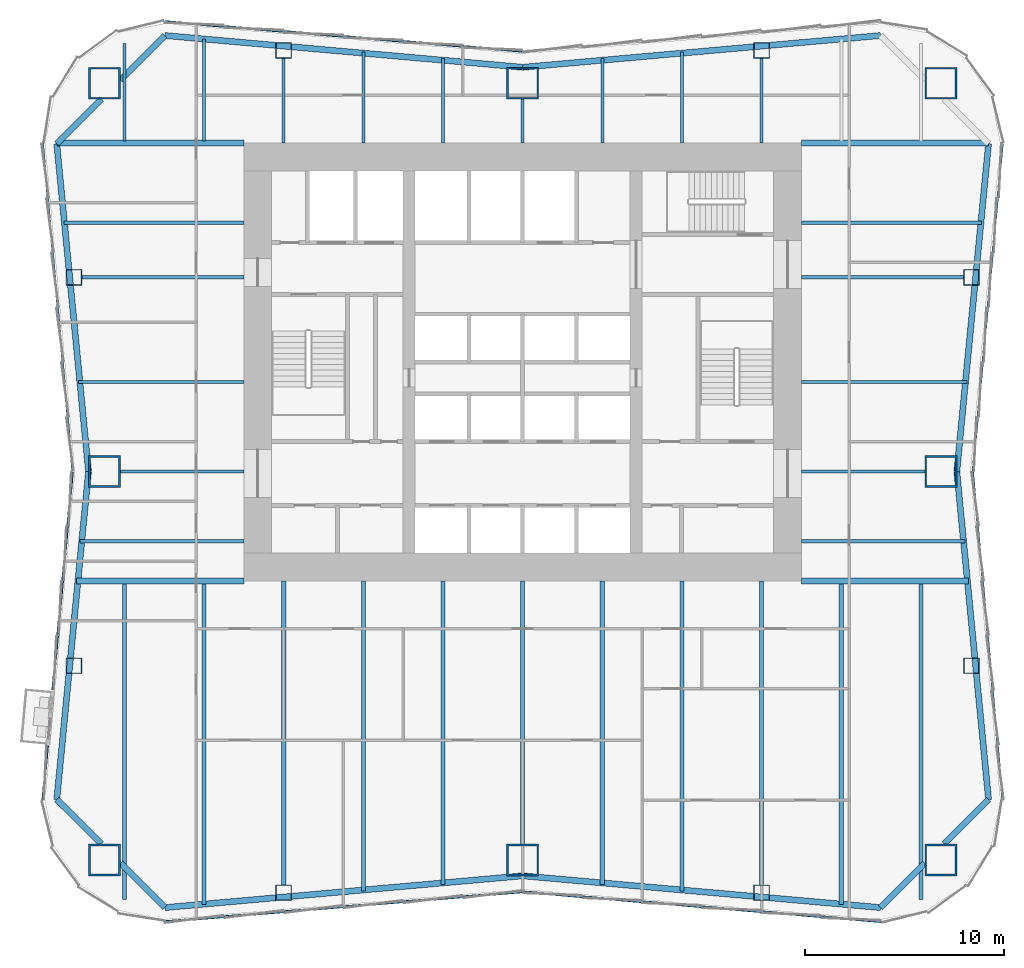
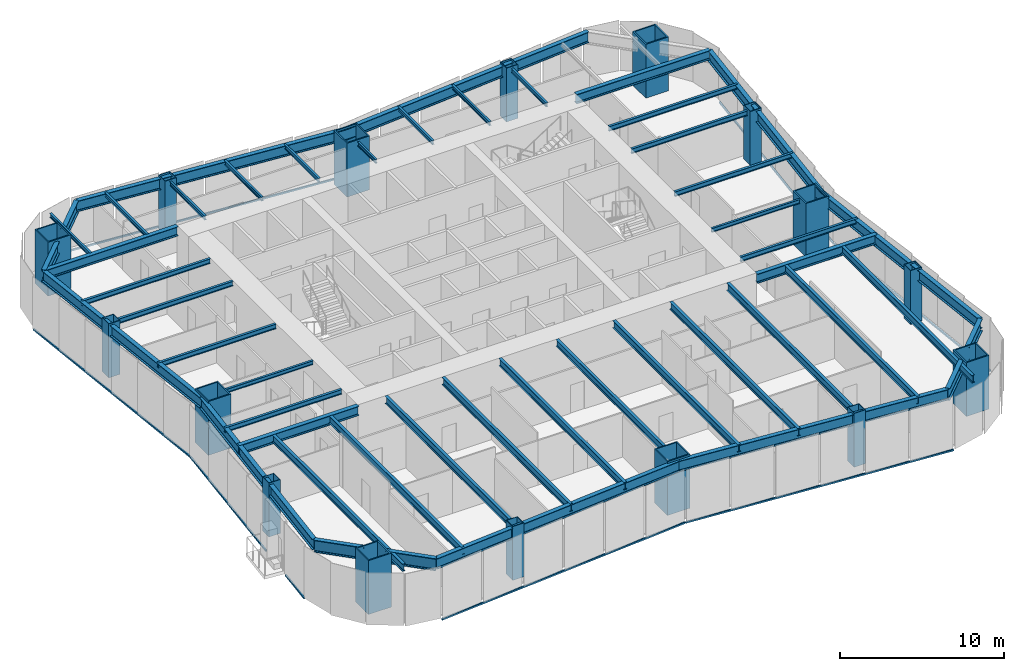
# One storey, part 1 of 8: 48 beams, 16 columns, 8 members, 4 elements without a shape of their own.
"""IFC4 building model written with IfcOpenShell, lengths in metres."""

import ifcopenshell
import ifcopenshell.guid

model = None  # the IFC model being written
_history = None  # IfcOwnerHistory: only IFC2X3 demands one
_inside = {}  # id of a spatial element -> (the spatial element, [elements in it])
_under = {}  # id of a project, library or spatial element -> (it, [spatial elements below it])
_declared = {}  # id of a project -> (the project, [libraries it declares])
_typed = {}  # id of a type object -> (the type object, [elements of that type])
_made_of = {}  # id of a material, layer set ... -> (it, [elements and type objects made of it])


def new_model(schema):
    """Start an empty IFC model of exactly this schema.

    Asked for "IFC4X3", IfcOpenShell would pick the latest addendum, in which some entities
    have other attributes; the version numbers below select the first issue.
    IFC2X3 requires an IfcOwnerHistory on every rooted entity: one is made here for all.
    """
    global model, _history
    if schema == "IFC4X3":
        model = ifcopenshell.file(schema_version=(4, 3, 0, 0))
    else:
        model = ifcopenshell.file(schema=schema)
    _inside.clear()
    _under.clear()
    _declared.clear()
    _typed.clear()
    _made_of.clear()
    _history = None
    if model.schema == "IFC2X3":
        org = make("IfcOrganization", Name="unknown")
        user = make(
            "IfcPersonAndOrganization",
            ThePerson=make("IfcPerson", FamilyName="unknown"),
            TheOrganization=org,
        )
        app = make(
            "IfcApplication",
            ApplicationDeveloper=org,
            Version="unknown",
            ApplicationFullName="unknown",
            ApplicationIdentifier="unknown",
        )
        _history = make(
            "IfcOwnerHistory",
            OwningUser=user,
            OwningApplication=app,
            ChangeAction="ADDED",
            CreationDate=0,
        )
    return model


def make(cls, **values):
    """One entity of the class cls with the attributes given. An attribute that is None is left unset."""
    return model.create_entity(
        cls, **{name: value for name, value in values.items() if value is not None}
    )


def rooted(cls, **values):
    """An entity with a GlobalId (a new one), such as an element, a storey or a relation."""
    return make(cls, GlobalId=ifcopenshell.guid.new(), OwnerHistory=_history, **values)


def si_unit(unit_type, name, prefix=None):
    """IfcSIUnit, for example si_unit("LENGTHUNIT", "METRE", prefix="MILLI")."""
    return make("IfcSIUnit", UnitType=unit_type, Prefix=prefix, Name=name)


def assignment(units):
    """IfcUnitAssignment: the units of a project."""
    return None if units is None else make("IfcUnitAssignment", Units=units)


def point(xyz):
    """IfcCartesianPoint."""
    return None if xyz is None else make("IfcCartesianPoint", Coordinates=xyz)


def direction(xyz):
    """IfcDirection."""
    return None if xyz is None else make("IfcDirection", DirectionRatios=xyz)


def frame(location, z_axis=None, x_axis=None):
    """IfcAxis2Placement3D, a coordinate frame: its origin and axes. An axis left out is left unset."""
    return make(
        "IfcAxis2Placement3D",
        Location=point(location),
        Axis=direction(z_axis),
        RefDirection=direction(x_axis),
    )


def frame_2d(location, x_axis=None):
    """IfcAxis2Placement2D, a coordinate frame in the plane: its origin and x axis."""
    return make(
        "IfcAxis2Placement2D", Location=point(location), RefDirection=direction(x_axis)
    )


def origin():
    """The frame at (0, 0, 0) with its axes left unset."""
    return frame((0.0, 0.0, 0.0))


def origin_2d():
    """The frame at (0, 0) in the plane with its x axis left unset."""
    return frame_2d((0.0, 0.0))


def place(relative_to, where):
    """IfcLocalPlacement: puts the frame where relative to a parent placement (None: the world)."""
    return make(
        "IfcLocalPlacement", PlacementRelTo=relative_to, RelativePlacement=where
    )


def context(
    kind, dimensions, precision=None, world=None, true_north=None, identifier=None
):
    """IfcGeometricRepresentationContext, for example the 3D "Model" context."""
    return make(
        "IfcGeometricRepresentationContext",
        ContextIdentifier=identifier,
        ContextType=kind,
        CoordinateSpaceDimension=dimensions,
        Precision=precision,
        WorldCoordinateSystem=world,
        TrueNorth=true_north,
    )


def subcontext(parent, identifier, kind, view, scale=None):
    """IfcGeometricRepresentationSubContext, for example "Body" below "Model"."""
    return make(
        "IfcGeometricRepresentationSubContext",
        ContextIdentifier=identifier,
        ContextType=kind,
        ParentContext=parent,
        TargetScale=scale,
        TargetView=view,
    )


def project(units=None, contexts=None):
    """IfcProject with its units and contexts."""
    return rooted(
        "IfcProject",
        Name="project",
        RepresentationContexts=contexts,
        UnitsInContext=assignment(units),
    )


def spatial(cls, under=None, at=None, **own):
    """A site, building, storey or space (cls), placed at a placement, below another one or the project."""
    s = rooted(cls, ObjectPlacement=at, **own)
    if under is not None:
        _under.setdefault(under.id(), (under, []))[1].append(s)
    return s


def profile(cls, at=None, kind="AREA", **sizes):
    """A parametric profile (cls). Its sizes go by their IFC names, for example OverallWidth=200.0."""
    return make(cls, ProfileType=kind, Position=at, **sizes)


def rectangle(**sizes):
    """IfcRectangleProfileDef."""
    return profile("IfcRectangleProfileDef", **sizes)


def hollow_rectangle(**sizes):
    """IfcRectangleHollowProfileDef."""
    return profile("IfcRectangleHollowProfileDef", **sizes)


def i_section(**sizes):
    """IfcIShapeProfileDef."""
    return profile("IfcIShapeProfileDef", **sizes)


def extrude(swept, where, along, depth):
    """IfcExtrudedAreaSolid: the profile swept, set in the frame where, extruded along a direction by depth."""
    return make(
        "IfcExtrudedAreaSolid",
        SweptArea=swept,
        Position=where,
        ExtrudedDirection=direction(along),
        Depth=depth,
    )


def shape(context_of_items, identifier, shape_type, items):
    """IfcShapeRepresentation: the items that make up one representation, for example the "Body"."""
    return make(
        "IfcShapeRepresentation",
        ContextOfItems=context_of_items,
        RepresentationIdentifier=identifier,
        RepresentationType=shape_type,
        Items=items,
    )


def material(Name=None, Category=None):
    """IfcMaterial."""
    return make("IfcMaterial", Name=Name, Category=Category)


def material_profile(
    of_material, cross_section, Name=None, Category=None, Priority=None
):
    """IfcMaterialProfile: a cross section and its material."""
    return make(
        "IfcMaterialProfile",
        Name=Name,
        Material=of_material,
        Profile=cross_section,
        Priority=Priority,
        Category=Category,
    )


def profile_set(profiles, Name=None, composite=None):
    """IfcMaterialProfileSet."""
    return make(
        "IfcMaterialProfileSet",
        Name=Name,
        MaterialProfiles=profiles,
        CompositeProfile=composite,
    )


def made_of(thing, what):
    """Note that an element or type object is made of a material, layer set ...; save() writes the relation."""
    if what is not None:
        _made_of.setdefault(what.id(), (what, []))[1].append(thing)
    return thing


def type_object(cls, material=None, **own):
    """A type object (cls), such as IfcWallType, which elements share."""
    return made_of(rooted(cls, **own), material)


def element(
    cls,
    number,
    at=None,
    inside=None,
    cuts=None,
    type_object=None,
    material=None,
    context=None,
    identifier="Body",
    shape_type=None,
    held_by="IfcProductDefinitionShape",
    body=None,
    shapes=None,
    **own,
):
    """One element of the class cls, such as IfcWall. Its Tag is "e" and its number.

    at: its placement. inside: the storey or other place that contains it. cuts: it is an
    opening in that element (IfcRelVoidsElement). A single representation is given by context,
    identifier, shape_type and body (its items); several are given by shapes. held_by: the class
    of the entity that holds the representations. save() writes the other relations.
    """
    e = rooted(cls, Tag="e%d" % number, ObjectPlacement=at, **own)
    if body is not None:
        shapes = [shape(context, identifier, shape_type, body)]
    if shapes is not None:
        e.Representation = make(held_by, Representations=shapes)
    if inside is not None:
        _inside.setdefault(inside.id(), (inside, []))[1].append(e)
    if cuts is not None:
        rooted(
            "IfcRelVoidsElement", RelatingBuildingElement=cuts, RelatedOpeningElement=e
        )
    if type_object is not None:
        _typed.setdefault(type_object.id(), (type_object, []))[1].append(e)
    return made_of(e, material)


def aggregate(whole, parts):
    """IfcRelAggregates: a whole, such as a stair, and the parts it consists of."""
    return rooted("IfcRelAggregates", RelatingObject=whole, RelatedObjects=parts)


def save(model, path):
    """Write the relations noted so far, then the file.

    IfcRelAggregates (storeys below a building ...), IfcRelContainedInSpatialStructure (elements
    in a storey), IfcRelDefinesByType, IfcRelAssociatesMaterial and IfcRelDeclares: one each for
    every whole, place, type object, material and project.
    """
    for whole, parts in _under.values():
        aggregate(whole, parts)
    for where, things in _inside.values():
        rooted(
            "IfcRelContainedInSpatialStructure",
            RelatedElements=things,
            RelatingStructure=where,
        )
    for kind, things in _typed.values():
        rooted("IfcRelDefinesByType", RelatedObjects=things, RelatingType=kind)
    for what, things in _made_of.values():
        rooted("IfcRelAssociatesMaterial", RelatedObjects=things, RelatingMaterial=what)
    for by, libraries in _declared.values():
        rooted("IfcRelDeclares", RelatingContext=by, RelatedDefinitions=libraries)
    model.write(path)


model = new_model("IFC4")

# Units and contexts
model_context = context("Model", 3, precision=1e-05, world=origin(), true_north=direction((0.0, 1.0)))
body_context = subcontext(model_context, "Body", "Model", "MODEL_VIEW")
ifc_project = project(units=[si_unit("LENGTHUNIT", "METRE"), si_unit("AREAUNIT", "SQUARE_METRE"), si_unit("VOLUMEUNIT", "CUBIC_METRE"), si_unit("PLANEANGLEUNIT", "RADIAN"), si_unit("MASSUNIT", "GRAM", prefix="KILO")], contexts=[model_context])

# Site, building, storey
site_placement = place(None, origin())
site = spatial("IfcSite", under=ifc_project, at=site_placement, CompositionType="ELEMENT")
building_placement = place(site_placement, origin())
building = spatial("IfcBuilding", under=site, at=building_placement, Name="Verdant Reach Tower", CompositionType="ELEMENT")
storey_placement = place(building_placement, frame((0.0, 0.0, 22.0)))
storey = spatial("IfcBuildingStorey", under=building, at=storey_placement, Name="L04", CompositionType="ELEMENT", Elevation=22.0)

# Columns
ifc_material_1 = material(Name="Steel S460", Category="steel")
ifc_material_profile_1 = material_profile(ifc_material_1, hollow_rectangle(XDim=1.60009765625, YDim=1.60009765625, WallThickness=0.090087890625, at=origin_2d()), Name="WB 1600x1600x90")
ifc_profile_set_1 = profile_set([ifc_material_profile_1], Name="Steel S460")
column_type_1 = type_object("IfcColumnType", Name="ST-COL-WB1600x1600x90", PredefinedType="COLUMN", material=ifc_profile_set_1)
for number, where, z_axis, x_axis, name in (
    (1, (-21.0, 42.0, 0.0), (0.0, 0.0, 1.0), (1.0, 0.0, 0.0), "Mega column north-west, L04"),
    (2, (0.0, 42.0, 0.0), (0.0, 0.0, 1.0), (1.0, 0.0, 0.0), "Mega column north, L04"),
    (3, (21.0, 42.0, 0.0), (0.0, 0.0, 1.0), (1.0, 0.0, 0.0), "Mega column north-east, L04"),
    (4, (21.0, 22.5, 0.0), (0.0, 0.0, 1.0), (1.0, 0.0, 0.0), "Mega column east, L04"),
    (5, (21.0, 3.0, 0.0), (0.0, 0.0, 1.0), (1.0, 0.0, 0.0), "Mega column south-east, L04"),
    (6, (0.0, 3.0, 0.0), (0.0, 0.0, 1.0), (1.0, 0.0, 0.0), "Mega column south, L04"),
    (7, (-21.0, 3.0, 0.0), (0.0, 0.0, 1.0), (1.0, 0.0, 0.0), "Mega column south-west, L04"),
    (8, (-21.0, 22.5, 0.0), (0.0, 0.0, 1.0), (1.0, 0.0, 0.0), "Mega column west, L04"),
):
    element("IfcColumn", number, at=place(storey_placement, frame(where, z_axis=z_axis, x_axis=x_axis)), inside=storey, type_object=column_type_1, Name=name, PredefinedType="COLUMN", context=body_context, shape_type="SweptSolid", body=[
        extrude(hollow_rectangle(XDim=1.60009765625, YDim=1.60009765625, WallThickness=0.090087890625, at=origin_2d()), origin(), (0.0, 0.0, 1.0), 4.0),
    ])
ifc_material_profile_2 = material_profile(ifc_material_1, hollow_rectangle(XDim=0.800048828125, YDim=0.800048828125, WallThickness=0.0400390625, at=origin_2d()), Name="WB 800x800x40")
ifc_profile_set_2 = profile_set([ifc_material_profile_2], Name="Steel S460")
column_type_2 = type_object("IfcColumnType", Name="ST-COL-WB800x800x40", PredefinedType="COLUMN", material=ifc_profile_set_2)
for number, where, z_axis, x_axis, name in (
    (9, (-12.0, 43.64990234375, 0.0), (0.0, 0.0, 1.0), (1.0, 0.0, 0.0), "Perimeter column north 1, L04"),
    (10, (12.0, 43.64990234375, 0.0), (0.0, 0.0, 1.0), (1.0, 0.0, 0.0), "Perimeter column north 2, L04"),
    (11, (-12.0, 1.35009765625, 0.0), (0.0, 0.0, 1.0), (1.0, 0.0, 0.0), "Perimeter column south 1, L04"),
    (12, (12.0, 1.35009765625, 0.0), (0.0, 0.0, 1.0), (1.0, 0.0, 0.0), "Perimeter column south 2, L04"),
    (13, (22.536376953125, 12.75, 0.0), (0.0, 0.0, 1.0), (1.0, 0.0, 0.0), "Perimeter column east 1, L04"),
    (14, (22.536376953125, 32.25, 0.0), (0.0, 0.0, 1.0), (1.0, 0.0, 0.0), "Perimeter column east 2, L04"),
    (15, (-22.536376953125, 12.75, 0.0), (0.0, 0.0, 1.0), (1.0, 0.0, 0.0), "Perimeter column west 1, L04"),
    (16, (-22.536376953125, 32.25, 0.0), (0.0, 0.0, 1.0), (1.0, 0.0, 0.0), "Perimeter column west 2, L04"),
):
    element("IfcColumn", number, at=place(storey_placement, frame(where, z_axis=z_axis, x_axis=x_axis)), inside=storey, type_object=column_type_2, Name=name, PredefinedType="COLUMN", context=body_context, shape_type="SweptSolid", body=[
        extrude(hollow_rectangle(XDim=0.800048828125, YDim=0.800048828125, WallThickness=0.0400390625, at=origin_2d()), origin(), (0.0, 0.0, 1.0), 4.0),
    ])

# Curtain wall, members
ifc_material_2 = material(Name="Anodised aluminium", Category="aluminium")
curtain_wall_type = type_object("IfcCurtainWallType", Name="EN-CW SYSTEM Z0", PredefinedType="NOTDEFINED", material=ifc_material_2)
curtain_wall_1_placement = place(storey_placement, origin())
curtain_wall_1 = element("IfcCurtainWall", 17, at=curtain_wall_1_placement, inside=storey, type_object=curtain_wall_type, Name="Curtain wall east, L04", PredefinedType="NOTDEFINED")
ifc_material_profile_3 = material_profile(ifc_material_2, rectangle(XDim=0.10009765625, YDim=0.1201171875, at=origin_2d()), Name="Transom 120x100")
ifc_profile_set_3 = profile_set([ifc_material_profile_3], Name="Anodised aluminium")
member_type = type_object("IfcMemberType", Name="EN-TRANSOM Z0", PredefinedType="USERDEFINED", material=ifc_profile_set_3)
member_1_placement = place(storey_placement, frame((24.09716796875, 6.024658203125, -0.2900390625), z_axis=(-0.090495755184, 0.995896841191, 0.0), x_axis=(-0.995896841191, -0.090495755184, 0.0)))
member_1 = element("IfcMember", 18, at=member_1_placement, type_object=member_type, Name="Transom east face part 1 1.1, L04", ObjectType="TRANSOM", PredefinedType="USERDEFINED", context=body_context, shape_type="SweptSolid", body=[
    extrude(rectangle(XDim=0.10009765625, YDim=0.1201171875, at=origin_2d()), origin(), (0.0, 0.0, 1.0), 16.513427734375),
])
member_2_placement = place(storey_placement, frame((22.602783203125, 22.52978515625, -0.2900390625), z_axis=(0.090495755184, 0.995896841191, 0.0), x_axis=(-0.995896841191, 0.090495755184, 0.0)))
member_2 = element("IfcMember", 19, at=member_2_placement, type_object=member_type, Name="Transom east face part 2 1.1, L04", ObjectType="TRANSOM", PredefinedType="USERDEFINED", context=body_context, shape_type="SweptSolid", body=[
    extrude(rectangle(XDim=0.10009765625, YDim=0.1201171875, at=origin_2d()), origin(), (0.0, 0.0, 1.0), 16.513427734375),
])
aggregate(curtain_wall_1, [member_1, member_2])

# Curtain wall, member
curtain_wall_2_placement = place(storey_placement, origin())
curtain_wall_2 = element("IfcCurtainWall", 20, at=curtain_wall_2_placement, inside=storey, type_object=curtain_wall_type, Name="Curtain wall north, L04", PredefinedType="NOTDEFINED")
member_3_placement = place(storey_placement, frame((-0.02978515625, 43.6025390625, -0.2900390625), z_axis=(-0.996548656072, 0.083010698588, 0.0), x_axis=(-0.083010698588, -0.996548656072, 0.0)))
member_3 = element("IfcMember", 21, at=member_3_placement, type_object=member_type, Name="Transom north face part 2 1.1, L04", ObjectType="TRANSOM", PredefinedType="USERDEFINED", context=body_context, shape_type="SweptSolid", body=[
    extrude(rectangle(XDim=0.10009765625, YDim=0.1201171875, at=origin_2d()), origin(), (0.0, 0.0, 1.0), 18.00830078125),
])
aggregate(curtain_wall_2, [member_3])

# Curtain wall, members
curtain_wall_3_placement = place(storey_placement, origin())
curtain_wall_3 = element("IfcCurtainWall", 22, at=curtain_wall_3_placement, inside=storey, type_object=curtain_wall_type, Name="Curtain wall west, L04", PredefinedType="NOTDEFINED")
member_4_placement = place(storey_placement, frame((-24.09716796875, 38.975341796875, -0.2900390625), z_axis=(0.090495755184, -0.995896841191, 0.0), x_axis=(0.995896841191, 0.090495755184, 0.0)))
member_4 = element("IfcMember", 23, at=member_4_placement, type_object=member_type, Name="Transom west face part 1 1.1, L04", ObjectType="TRANSOM", PredefinedType="USERDEFINED", context=body_context, shape_type="SweptSolid", body=[
    extrude(rectangle(XDim=0.10009765625, YDim=0.1201171875, at=origin_2d()), origin(), (0.0, 0.0, 1.0), 16.513427734375),
])
member_5_placement = place(storey_placement, frame((-22.602783203125, 22.47021484375, -0.2900390625), z_axis=(-0.090569838391, -0.995890106575, 0.0), x_axis=(0.995890106575, -0.090569838391, 0.0)))
member_5 = element("IfcMember", 24, at=member_5_placement, type_object=member_type, Name="Transom west face part 2 1.1, L04", ObjectType="TRANSOM", PredefinedType="USERDEFINED", context=body_context, shape_type="SweptSolid", body=[
    extrude(rectangle(XDim=0.10009765625, YDim=0.1201171875, at=origin_2d()), origin(), (0.0, 0.0, 1.0), 10.9765625),
])
member_6_placement = place(storey_placement, frame((-23.852294921875, 8.729248046875, -0.2900390625), z_axis=(-0.090170976609, -0.995926299973, 0.0), x_axis=(0.995926299973, -0.090170976609, 0.0)))
member_6 = element("IfcMember", 25, at=member_6_placement, type_object=member_type, Name="Transom west face part 2 2.1, L04", ObjectType="TRANSOM", PredefinedType="USERDEFINED", context=body_context, shape_type="SweptSolid", body=[
    extrude(rectangle(XDim=0.10009765625, YDim=0.1201171875, at=origin_2d()), origin(), (0.0, 0.0, 1.0), 2.715576171875),
])
aggregate(curtain_wall_3, [member_4, member_5, member_6])

curtain_wall_4_placement = place(storey_placement, origin())
curtain_wall_4 = element("IfcCurtainWall", 26, at=curtain_wall_4_placement, inside=storey, type_object=curtain_wall_type, Name="Curtain wall south, L04", PredefinedType="NOTDEFINED")
member_7_placement = place(storey_placement, frame((-17.975830078125, -0.097412109375, -0.2900390625), z_axis=(0.996548656072, 0.083010698588, 0.0), x_axis=(-0.083010698588, 0.996548656072, 0.0)))
member_7 = element("IfcMember", 27, at=member_7_placement, type_object=member_type, Name="Transom south face part 1 1.1, L04", ObjectType="TRANSOM", PredefinedType="USERDEFINED", context=body_context, shape_type="SweptSolid", body=[
    extrude(rectangle(XDim=0.10009765625, YDim=0.1201171875, at=origin_2d()), origin(), (0.0, 0.0, 1.0), 18.00830078125),
])
member_8_placement = place(storey_placement, frame((0.02978515625, 1.3974609375, -0.2900390625), z_axis=(0.996548656072, -0.083010698588, 0.0), x_axis=(0.083010698588, 0.996548656072, 0.0)))
member_8 = element("IfcMember", 28, at=member_8_placement, type_object=member_type, Name="Transom south face part 2 1.1, L04", ObjectType="TRANSOM", PredefinedType="USERDEFINED", context=body_context, shape_type="SweptSolid", body=[
    extrude(rectangle(XDim=0.10009765625, YDim=0.1201171875, at=origin_2d()), origin(), (0.0, 0.0, 1.0), 18.00830078125),
])
aggregate(curtain_wall_4, [member_7, member_8])

# Beams
ifc_material_3 = material(Name="Steel S355", Category="steel")
ifc_material_profile_4 = material_profile(ifc_material_3, i_section(OverallWidth=0.300048828125, OverallDepth=0.699951171875, WebThickness=0.01708984375, FlangeThickness=0.031982421875, FilletRadius=0.027099609375, at=origin_2d()), Name="HEB 700")
ifc_profile_set_4 = profile_set([ifc_material_profile_4], Name="Steel S355")
beam_type_1 = type_object("IfcBeamType", Name="ST-BEAM-HEB700", PredefinedType="BEAM", material=ifc_profile_set_4)
for number, where, z_axis, x_axis, name in (
    (29, (14.0, 39.0, 3.52001953125), (1.0, 0.0, 0.0), (0.0, 1.0, 0.0), "Trimmer beam, L04"),
    (30, (-14.0, 39.0, 3.52001953125), (-1.0, 0.0, 0.0), (0.0, -1.0, 0.0), "Trimmer beam, L04"),
):
    element("IfcBeam", number, at=place(storey_placement, frame(where, z_axis=z_axis, x_axis=x_axis)), inside=storey, type_object=beam_type_1, Name=name, PredefinedType="BEAM", context=body_context, shape_type="SweptSolid", body=[
        extrude(i_section(OverallWidth=0.300048828125, OverallDepth=0.699951171875, WebThickness=0.01708984375, FlangeThickness=0.031982421875, FilletRadius=0.027099609375, at=origin_2d()), origin(), (0.0, 0.0, 1.0), 9.38818359375),
    ])
for number, where, z_axis, x_axis, name in (
    (31, (14.0, 17.0, 3.52001953125), (1.0, 0.0, 0.0), (0.0, 1.0, 0.0), "Trimmer beam, L04"),
    (32, (-14.0, 17.0, 3.52001953125), (-1.0, 0.0, 0.0), (0.0, -1.0, 0.0), "Trimmer beam, L04"),
):
    element("IfcBeam", number, at=place(storey_placement, frame(where, z_axis=z_axis, x_axis=x_axis)), inside=storey, type_object=beam_type_1, Name=name, PredefinedType="BEAM", context=body_context, shape_type="SweptSolid", body=[
        extrude(i_section(OverallWidth=0.300048828125, OverallDepth=0.699951171875, WebThickness=0.01708984375, FlangeThickness=0.031982421875, FilletRadius=0.027099609375, at=origin_2d()), origin(), (0.0, 0.0, 1.0), 8.3974609375),
    ])
ifc_material_profile_5 = material_profile(ifc_material_3, i_section(OverallWidth=0.14990234375, OverallDepth=0.300048828125, WebThickness=0.007080078125, FlangeThickness=0.0107421875, FilletRadius=0.014892578125, at=origin_2d()), Name="IPE 300")
ifc_profile_set_5 = profile_set([ifc_material_profile_5], Name="Steel S355")
beam_type_2 = type_object("IfcBeamType", Name="ST-JOIST-IPE300", PredefinedType="JOIST", material=ifc_profile_set_5)
beam_1_placement = place(storey_placement, frame((-20.0, 39.10009765625, 3.719970703125), z_axis=(0.0, 1.0, 0.0), x_axis=(-1.0, 0.0, 0.0)))
element("IfcBeam", 33, at=beam_1_placement, inside=storey, type_object=beam_type_2, Name="Floor joist, L04", PredefinedType="JOIST", context=body_context, shape_type="SweptSolid", body=[
    extrude(i_section(OverallWidth=0.14990234375, OverallDepth=0.300048828125, WebThickness=0.007080078125, FlangeThickness=0.0107421875, FilletRadius=0.014892578125, at=origin_2d()), origin(), (0.0, 0.0, 1.0), 4.890380859375),
])
beam_2_placement = place(storey_placement, frame((-16.0, 39.10009765625, 3.719970703125), z_axis=(0.0, 1.0, 0.0), x_axis=(-1.0, 0.0, 0.0)))
element("IfcBeam", 34, at=beam_2_placement, inside=storey, type_object=beam_type_2, Name="Floor joist, L04", PredefinedType="JOIST", context=body_context, shape_type="SweptSolid", body=[
    extrude(i_section(OverallWidth=0.14990234375, OverallDepth=0.300048828125, WebThickness=0.007080078125, FlangeThickness=0.0107421875, FilletRadius=0.014892578125, at=origin_2d()), origin(), (0.0, 0.0, 1.0), 5.131103515625),
])
beam_3_placement = place(storey_placement, frame((-12.0, 39.0, 3.719970703125), z_axis=(0.0, 1.0, 0.0), x_axis=(-1.0, 0.0, 0.0)))
element("IfcBeam", 35, at=beam_3_placement, inside=storey, type_object=beam_type_2, Name="Floor joist, L04", PredefinedType="JOIST", context=body_context, shape_type="SweptSolid", body=[
    extrude(i_section(OverallWidth=0.14990234375, OverallDepth=0.300048828125, WebThickness=0.007080078125, FlangeThickness=0.0107421875, FilletRadius=0.014892578125, at=origin_2d()), origin(), (0.0, 0.0, 1.0), 4.25),
])
beam_4_placement = place(storey_placement, frame((-8.0, 39.0, 3.719970703125), z_axis=(0.0, 1.0, 0.0), x_axis=(-1.0, 0.0, 0.0)))
element("IfcBeam", 36, at=beam_4_placement, inside=storey, type_object=beam_type_2, Name="Floor joist, L04", PredefinedType="JOIST", context=body_context, shape_type="SweptSolid", body=[
    extrude(i_section(OverallWidth=0.14990234375, OverallDepth=0.300048828125, WebThickness=0.007080078125, FlangeThickness=0.0107421875, FilletRadius=0.014892578125, at=origin_2d()), origin(), (0.0, 0.0, 1.0), 4.564697265625),
])
beam_5_placement = place(storey_placement, frame((-4.0, 39.0, 3.719970703125), z_axis=(0.0, 1.0, 0.0), x_axis=(-1.0, 0.0, 0.0)))
element("IfcBeam", 37, at=beam_5_placement, inside=storey, type_object=beam_type_2, Name="Floor joist, L04", PredefinedType="JOIST", context=body_context, shape_type="SweptSolid", body=[
    extrude(i_section(OverallWidth=0.14990234375, OverallDepth=0.300048828125, WebThickness=0.007080078125, FlangeThickness=0.0107421875, FilletRadius=0.014892578125, at=origin_2d()), origin(), (0.0, 0.0, 1.0), 4.231201171875),
])
beam_6_placement = place(storey_placement, frame((0.0, 39.0, 3.719970703125), z_axis=(0.0, 1.0, 0.0), x_axis=(-1.0, 0.0, 0.0)))
element("IfcBeam", 38, at=beam_6_placement, inside=storey, type_object=beam_type_2, Name="Floor joist, L04", PredefinedType="JOIST", context=body_context, shape_type="SweptSolid", body=[
    extrude(i_section(OverallWidth=0.14990234375, OverallDepth=0.300048828125, WebThickness=0.007080078125, FlangeThickness=0.0107421875, FilletRadius=0.014892578125, at=origin_2d()), origin(), (0.0, 0.0, 1.0), 2.199951171875),
])
beam_7_placement = place(storey_placement, frame((4.0, 39.0, 3.719970703125), z_axis=(0.0, 1.0, 0.0), x_axis=(-1.0, 0.0, 0.0)))
element("IfcBeam", 39, at=beam_7_placement, inside=storey, type_object=beam_type_2, Name="Floor joist, L04", PredefinedType="JOIST", context=body_context, shape_type="SweptSolid", body=[
    extrude(i_section(OverallWidth=0.14990234375, OverallDepth=0.300048828125, WebThickness=0.007080078125, FlangeThickness=0.0107421875, FilletRadius=0.014892578125, at=origin_2d()), origin(), (0.0, 0.0, 1.0), 4.231201171875),
])
beam_8_placement = place(storey_placement, frame((8.0, 39.0, 3.719970703125), z_axis=(0.0, 1.0, 0.0), x_axis=(-1.0, 0.0, 0.0)))
element("IfcBeam", 40, at=beam_8_placement, inside=storey, type_object=beam_type_2, Name="Floor joist, L04", PredefinedType="JOIST", context=body_context, shape_type="SweptSolid", body=[
    extrude(i_section(OverallWidth=0.14990234375, OverallDepth=0.300048828125, WebThickness=0.007080078125, FlangeThickness=0.0107421875, FilletRadius=0.014892578125, at=origin_2d()), origin(), (0.0, 0.0, 1.0), 4.564697265625),
])
beam_9_placement = place(storey_placement, frame((12.0, 39.0, 3.719970703125), z_axis=(0.0, 1.0, 0.0), x_axis=(-1.0, 0.0, 0.0)))
element("IfcBeam", 41, at=beam_9_placement, inside=storey, type_object=beam_type_2, Name="Floor joist, L04", PredefinedType="JOIST", context=body_context, shape_type="SweptSolid", body=[
    extrude(i_section(OverallWidth=0.14990234375, OverallDepth=0.300048828125, WebThickness=0.007080078125, FlangeThickness=0.0107421875, FilletRadius=0.014892578125, at=origin_2d()), origin(), (0.0, 0.0, 1.0), 4.25),
])
for number, where, z_axis, x_axis, name in (
    (42, (14.0, 22.5, 3.719970703125), (1.0, 0.0, 0.0), (0.0, 1.0, 0.0), "Floor joist, L04"),
    (43, (-14.0, 22.5, 3.719970703125), (-1.0, 0.0, 0.0), (0.0, -1.0, 0.0), "Floor joist, L04"),
):
    element("IfcBeam", number, at=place(storey_placement, frame(where, z_axis=z_axis, x_axis=x_axis)), inside=storey, type_object=beam_type_2, Name=name, PredefinedType="JOIST", context=body_context, shape_type="SweptSolid", body=[
        extrude(i_section(OverallWidth=0.14990234375, OverallDepth=0.300048828125, WebThickness=0.007080078125, FlangeThickness=0.0107421875, FilletRadius=0.014892578125, at=origin_2d()), origin(), (0.0, 0.0, 1.0), 6.199951171875),
    ])
ifc_material_profile_6 = material_profile(ifc_material_3, i_section(OverallWidth=0.169921875, OverallDepth=0.360107421875, WebThickness=0.008056640625, FlangeThickness=0.0126953125, FilletRadius=0.01806640625, at=origin_2d()), Name="IPE 360")
ifc_profile_set_6 = profile_set([ifc_material_profile_6], Name="Steel S355")
beam_type_3 = type_object("IfcBeamType", Name="ST-JOIST-IPE360", PredefinedType="JOIST", material=ifc_profile_set_6)
for number, where, z_axis, x_axis, name in (
    (44, (14.0, 19.0, 3.68994140625), (1.0, 0.0, 0.0), (0.0, 1.0, 0.0), "Floor joist, L04"),
    (45, (-14.0, 19.0, 3.68994140625), (-1.0, 0.0, 0.0), (0.0, -1.0, 0.0), "Floor joist, L04"),
):
    element("IfcBeam", number, at=place(storey_placement, frame(where, z_axis=z_axis, x_axis=x_axis)), inside=storey, type_object=beam_type_3, Name=name, PredefinedType="JOIST", context=body_context, shape_type="SweptSolid", body=[
        extrude(i_section(OverallWidth=0.169921875, OverallDepth=0.360107421875, WebThickness=0.008056640625, FlangeThickness=0.0126953125, FilletRadius=0.01806640625, at=origin_2d()), origin(), (0.0, 0.0, 1.0), 8.2158203125),
    ])
for number, where, z_axis, x_axis, name in (
    (46, (14.0, 27.0, 3.68994140625), (1.0, 0.0, 0.0), (0.0, 1.0, 0.0), "Floor joist, L04"),
    (47, (-14.0, 27.0, 3.68994140625), (-1.0, 0.0, 0.0), (0.0, -1.0, 0.0), "Floor joist, L04"),
):
    element("IfcBeam", number, at=place(storey_placement, frame(where, z_axis=z_axis, x_axis=x_axis)), inside=storey, type_object=beam_type_3, Name=name, PredefinedType="JOIST", context=body_context, shape_type="SweptSolid", body=[
        extrude(i_section(OverallWidth=0.169921875, OverallDepth=0.360107421875, WebThickness=0.008056640625, FlangeThickness=0.0126953125, FilletRadius=0.01806640625, at=origin_2d()), origin(), (0.0, 0.0, 1.0), 8.306640625),
    ])
for number, where, z_axis, x_axis, name in (
    (48, (14.0, 32.25, 3.68994140625), (1.0, 0.0, 0.0), (0.0, 1.0, 0.0), "Floor joist, L04"),
    (49, (-14.0, 32.25, 3.68994140625), (-1.0, 0.0, 0.0), (0.0, -1.0, 0.0), "Floor joist, L04"),
):
    element("IfcBeam", number, at=place(storey_placement, frame(where, z_axis=z_axis, x_axis=x_axis)), inside=storey, type_object=beam_type_3, Name=name, PredefinedType="JOIST", context=body_context, shape_type="SweptSolid", body=[
        extrude(i_section(OverallWidth=0.169921875, OverallDepth=0.360107421875, WebThickness=0.008056640625, FlangeThickness=0.0126953125, FilletRadius=0.01806640625, at=origin_2d()), origin(), (0.0, 0.0, 1.0), 8.136474609375),
    ])
for number, where, z_axis, x_axis, name in (
    (50, (14.0, 35.0, 3.68994140625), (1.0, 0.0, 0.0), (0.0, 1.0, 0.0), "Floor joist, L04"),
    (51, (-14.0, 35.0, 3.68994140625), (-1.0, 0.0, 0.0), (0.0, -1.0, 0.0), "Floor joist, L04"),
):
    element("IfcBeam", number, at=place(storey_placement, frame(where, z_axis=z_axis, x_axis=x_axis)), inside=storey, type_object=beam_type_3, Name=name, PredefinedType="JOIST", context=body_context, shape_type="SweptSolid", body=[
        extrude(i_section(OverallWidth=0.169921875, OverallDepth=0.360107421875, WebThickness=0.008056640625, FlangeThickness=0.0126953125, FilletRadius=0.01806640625, at=origin_2d()), origin(), (0.0, 0.0, 1.0), 9.033935546875),
    ])
ifc_material_profile_7 = material_profile(ifc_material_3, i_section(OverallWidth=0.199951171875, OverallDepth=0.5, WebThickness=0.01025390625, FlangeThickness=0.01611328125, FilletRadius=0.02099609375, at=origin_2d()), Name="IPE 500")
ifc_profile_set_7 = profile_set([ifc_material_profile_7], Name="Steel S355")
beam_type_4 = type_object("IfcBeamType", Name="ST-JOIST-IPE500", PredefinedType="JOIST", material=ifc_profile_set_7)
beam_10_placement = place(storey_placement, frame((0.0, 17.0, 3.6201171875), z_axis=(0.0, -1.0, 0.0), x_axis=(1.0, 0.0, 0.0)))
element("IfcBeam", 52, at=beam_10_placement, inside=storey, type_object=beam_type_4, Name="Floor joist, L04", PredefinedType="JOIST", context=body_context, shape_type="SweptSolid", body=[
    extrude(i_section(OverallWidth=0.199951171875, OverallDepth=0.5, WebThickness=0.01025390625, FlangeThickness=0.01611328125, FilletRadius=0.02099609375, at=origin_2d()), origin(), (0.0, 0.0, 1.0), 13.199951171875),
])
ifc_material_profile_8 = material_profile(ifc_material_3, i_section(OverallWidth=0.2099609375, OverallDepth=0.550048828125, WebThickness=0.010986328125, FlangeThickness=0.01708984375, FilletRadius=0.02392578125, at=origin_2d()), Name="IPE 550")
ifc_profile_set_8 = profile_set([ifc_material_profile_8], Name="Steel S355")
beam_type_5 = type_object("IfcBeamType", Name="ST-JOIST-IPE550", PredefinedType="JOIST", material=ifc_profile_set_8)
beam_11_placement = place(storey_placement, frame((-20.0, 16.89990234375, 3.594970703125), z_axis=(0.0, -1.0, 0.0), x_axis=(1.0, 0.0, 0.0)))
element("IfcBeam", 53, at=beam_11_placement, inside=storey, type_object=beam_type_5, Name="Floor joist, L04", PredefinedType="JOIST", context=body_context, shape_type="SweptSolid", body=[
    extrude(i_section(OverallWidth=0.2099609375, OverallDepth=0.550048828125, WebThickness=0.010986328125, FlangeThickness=0.01708984375, FilletRadius=0.02392578125, at=origin_2d()), origin(), (0.0, 0.0, 1.0), 15.890380859375),
])
beam_12_placement = place(storey_placement, frame((-16.0, 16.89990234375, 3.594970703125), z_axis=(0.0, -1.0, 0.0), x_axis=(1.0, 0.0, 0.0)))
element("IfcBeam", 54, at=beam_12_placement, inside=storey, type_object=beam_type_5, Name="Floor joist, L04", PredefinedType="JOIST", context=body_context, shape_type="SweptSolid", body=[
    extrude(i_section(OverallWidth=0.2099609375, OverallDepth=0.550048828125, WebThickness=0.010986328125, FlangeThickness=0.01708984375, FilletRadius=0.02392578125, at=origin_2d()), origin(), (0.0, 0.0, 1.0), 16.131103515625),
])
beam_13_placement = place(storey_placement, frame((-12.0, 17.0, 3.594970703125), z_axis=(0.0, -1.0, 0.0), x_axis=(1.0, 0.0, 0.0)))
element("IfcBeam", 55, at=beam_13_placement, inside=storey, type_object=beam_type_5, Name="Floor joist, L04", PredefinedType="JOIST", context=body_context, shape_type="SweptSolid", body=[
    extrude(i_section(OverallWidth=0.2099609375, OverallDepth=0.550048828125, WebThickness=0.010986328125, FlangeThickness=0.01708984375, FilletRadius=0.02392578125, at=origin_2d()), origin(), (0.0, 0.0, 1.0), 15.25),
])
beam_14_placement = place(storey_placement, frame((-8.0, 17.0, 3.594970703125), z_axis=(0.0, -1.0, 0.0), x_axis=(1.0, 0.0, 0.0)))
element("IfcBeam", 56, at=beam_14_placement, inside=storey, type_object=beam_type_5, Name="Floor joist, L04", PredefinedType="JOIST", context=body_context, shape_type="SweptSolid", body=[
    extrude(i_section(OverallWidth=0.2099609375, OverallDepth=0.550048828125, WebThickness=0.010986328125, FlangeThickness=0.01708984375, FilletRadius=0.02392578125, at=origin_2d()), origin(), (0.0, 0.0, 1.0), 15.564697265625),
])
for number, where, z_axis, x_axis, name in (
    (57, (-4.0, 17.0, 3.594970703125), (0.0, -1.0, 0.0), (1.0, 0.0, 0.0), "Floor joist, L04"),
    (58, (4.0, 17.0, 3.594970703125), (0.0, -1.0, 0.0), (1.0, 0.0, 0.0), "Floor joist, L04"),
):
    element("IfcBeam", number, at=place(storey_placement, frame(where, z_axis=z_axis, x_axis=x_axis)), inside=storey, type_object=beam_type_5, Name=name, PredefinedType="JOIST", context=body_context, shape_type="SweptSolid", body=[
        extrude(i_section(OverallWidth=0.2099609375, OverallDepth=0.550048828125, WebThickness=0.010986328125, FlangeThickness=0.01708984375, FilletRadius=0.02392578125, at=origin_2d()), origin(), (0.0, 0.0, 1.0), 15.231201171875),
    ])
beam_15_placement = place(storey_placement, frame((8.0, 17.0, 3.594970703125), z_axis=(0.0, -1.0, 0.0), x_axis=(1.0, 0.0, 0.0)))
element("IfcBeam", 59, at=beam_15_placement, inside=storey, type_object=beam_type_5, Name="Floor joist, L04", PredefinedType="JOIST", context=body_context, shape_type="SweptSolid", body=[
    extrude(i_section(OverallWidth=0.2099609375, OverallDepth=0.550048828125, WebThickness=0.010986328125, FlangeThickness=0.01708984375, FilletRadius=0.02392578125, at=origin_2d()), origin(), (0.0, 0.0, 1.0), 15.564697265625),
])
beam_16_placement = place(storey_placement, frame((12.0, 17.0, 3.594970703125), z_axis=(0.0, -1.0, 0.0), x_axis=(1.0, 0.0, 0.0)))
element("IfcBeam", 60, at=beam_16_placement, inside=storey, type_object=beam_type_5, Name="Floor joist, L04", PredefinedType="JOIST", context=body_context, shape_type="SweptSolid", body=[
    extrude(i_section(OverallWidth=0.2099609375, OverallDepth=0.550048828125, WebThickness=0.010986328125, FlangeThickness=0.01708984375, FilletRadius=0.02392578125, at=origin_2d()), origin(), (0.0, 0.0, 1.0), 15.25),
])
beam_17_placement = place(storey_placement, frame((16.0, 16.89990234375, 3.594970703125), z_axis=(0.0, -1.0, 0.0), x_axis=(1.0, 0.0, 0.0)))
element("IfcBeam", 61, at=beam_17_placement, inside=storey, type_object=beam_type_5, Name="Floor joist, L04", PredefinedType="JOIST", context=body_context, shape_type="SweptSolid", body=[
    extrude(i_section(OverallWidth=0.2099609375, OverallDepth=0.550048828125, WebThickness=0.010986328125, FlangeThickness=0.01708984375, FilletRadius=0.02392578125, at=origin_2d()), origin(), (0.0, 0.0, 1.0), 16.131103515625),
])
beam_18_placement = place(storey_placement, frame((20.0, 16.89990234375, 3.594970703125), z_axis=(0.0, -1.0, 0.0), x_axis=(1.0, 0.0, 0.0)))
element("IfcBeam", 62, at=beam_18_placement, inside=storey, type_object=beam_type_5, Name="Floor joist, L04", PredefinedType="JOIST", context=body_context, shape_type="SweptSolid", body=[
    extrude(i_section(OverallWidth=0.2099609375, OverallDepth=0.550048828125, WebThickness=0.010986328125, FlangeThickness=0.01708984375, FilletRadius=0.02392578125, at=origin_2d()), origin(), (0.0, 0.0, 1.0), 15.890380859375),
])
ifc_material_profile_9 = material_profile(ifc_material_3, i_section(OverallWidth=0.300048828125, OverallDepth=0.800048828125, WebThickness=0.017578125, FlangeThickness=0.032958984375, FilletRadius=0.030029296875, at=origin_2d()), Name="HEB 800")
ifc_profile_set_9 = profile_set([ifc_material_profile_9], Name="Steel S355")
beam_type_6 = type_object("IfcBeamType", Name="ST-SPANDREL-HEB800", PredefinedType="SPANDREL", material=ifc_profile_set_9)
for number, where, z_axis, x_axis, name in (
    (63, (17.9658203125, 0.60498046875, 3.469970703125), (-0.996082370463, 0.088430262084, 0.0), (-0.088430262084, -0.996082370463, 0.0), "Edge beam, L04"),
    (64, (0.0, 2.199951171875, 3.469970703125), (-0.996082370463, -0.088430262084, 0.0), (0.088430262084, -0.996082370463, 0.0), "Edge beam, L04"),
):
    element("IfcBeam", number, at=place(storey_placement, frame(where, z_axis=z_axis, x_axis=x_axis)), inside=storey, type_object=beam_type_6, Name=name, PredefinedType="SPANDREL", context=body_context, shape_type="SweptSolid", body=[
        extrude(i_section(OverallWidth=0.300048828125, OverallDepth=0.800048828125, WebThickness=0.017578125, FlangeThickness=0.032958984375, FilletRadius=0.030029296875, at=origin_2d()), origin(), (0.0, 0.0, 1.0), 18.036376953125),
    ])
for number, where, z_axis, x_axis, name in (
    (65, (-23.39453125, 6.031982421875, 3.469970703125), (0.096372296695, 0.995345357366, 0.0), (-0.995345357366, 0.096372296695, 0.0), "Edge beam, L04"),
    (66, (-21.800048828125, 22.5, 3.469970703125), (-0.096372296695, 0.995345357366, 0.0), (-0.995345357366, -0.096372296695, 0.0), "Edge beam, L04"),
):
    element("IfcBeam", number, at=place(storey_placement, frame(where, z_axis=z_axis, x_axis=x_axis)), inside=storey, type_object=beam_type_6, Name=name, PredefinedType="SPANDREL", context=body_context, shape_type="SweptSolid", body=[
        extrude(i_section(OverallWidth=0.300048828125, OverallDepth=0.800048828125, WebThickness=0.017578125, FlangeThickness=0.032958984375, FilletRadius=0.030029296875, at=origin_2d()), origin(), (0.0, 0.0, 1.0), 16.544921875),
    ])
for number, where, z_axis, x_axis, name in (
    (67, (-17.9658203125, 44.39501953125, 3.469970703125), (0.996082370463, -0.088430262084, 0.0), (0.088430262084, 0.996082370463, 0.0), "Edge beam, L04"),
    (68, (0.0, 42.800048828125, 3.469970703125), (0.996082370463, 0.088430262084, 0.0), (-0.088430262084, 0.996082370463, 0.0), "Edge beam, L04"),
):
    element("IfcBeam", number, at=place(storey_placement, frame(where, z_axis=z_axis, x_axis=x_axis)), inside=storey, type_object=beam_type_6, Name=name, PredefinedType="SPANDREL", context=body_context, shape_type="SweptSolid", body=[
        extrude(i_section(OverallWidth=0.300048828125, OverallDepth=0.800048828125, WebThickness=0.017578125, FlangeThickness=0.032958984375, FilletRadius=0.030029296875, at=origin_2d()), origin(), (0.0, 0.0, 1.0), 18.036376953125),
    ])
for number, where, z_axis, x_axis, name in (
    (69, (23.39453125, 38.968017578125, 3.469970703125), (-0.096372296695, -0.995345357366, 0.0), (0.995345357366, -0.096372296695, 0.0), "Edge beam, L04"),
    (70, (21.800048828125, 22.5, 3.469970703125), (0.096372296695, -0.995345357366, 0.0), (0.995345357366, 0.096372296695, 0.0), "Edge beam, L04"),
):
    element("IfcBeam", number, at=place(storey_placement, frame(where, z_axis=z_axis, x_axis=x_axis)), inside=storey, type_object=beam_type_6, Name=name, PredefinedType="SPANDREL", context=body_context, shape_type="SweptSolid", body=[
        extrude(i_section(OverallWidth=0.300048828125, OverallDepth=0.800048828125, WebThickness=0.017578125, FlangeThickness=0.032958984375, FilletRadius=0.030029296875, at=origin_2d()), origin(), (0.0, 0.0, 1.0), 16.544921875),
    ])
ifc_material_profile_10 = material_profile(ifc_material_3, i_section(OverallWidth=0.302001953125, OverallDepth=0.909912109375, WebThickness=0.02099609375, FlangeThickness=0.0400390625, FilletRadius=0.030029296875, at=origin_2d()), Name="HEM 900")
ifc_profile_set_10 = profile_set([ifc_material_profile_10], Name="Steel S355")
beam_type_7 = type_object("IfcBeamType", Name="ST-SPANDREL-HEM900", PredefinedType="SPANDREL", material=ifc_profile_set_10)
beam_19_placement = place(storey_placement, frame((-17.9658203125, 0.60498046875, 3.4150390625), z_axis=(-0.707222697162, 0.706990846206, 0.0), x_axis=(-0.706990846206, -0.707222697162, 0.0)))
element("IfcBeam", 71, at=beam_19_placement, inside=storey, type_object=beam_type_7, Name="Edge beam, L04", PredefinedType="SPANDREL", context=body_context, shape_type="SweptSolid", body=[
    extrude(i_section(OverallWidth=0.302001953125, OverallDepth=0.909912109375, WebThickness=0.02099609375, FlangeThickness=0.0400390625, FilletRadius=0.030029296875, at=origin_2d()), origin(), (0.0, 0.0, 1.0), 3.158935546875),
])
for number, where, z_axis, x_axis, name in (
    (72, (-21.161865234375, 3.800048828125, 3.4150390625), (-0.70722277322, 0.706990770123, 0.0), (-0.706990770123, -0.70722277322, 0.0), "Edge beam, L04"),
    (73, (-23.39453125, 38.968017578125, 3.4150390625), (0.70722277322, 0.706990770123, 0.0), (-0.706990770123, 0.70722277322, 0.0), "Edge beam, L04"),
):
    element("IfcBeam", number, at=place(storey_placement, frame(where, z_axis=z_axis, x_axis=x_axis)), inside=storey, type_object=beam_type_7, Name=name, PredefinedType="SPANDREL", context=body_context, shape_type="SweptSolid", body=[
        extrude(i_section(OverallWidth=0.302001953125, OverallDepth=0.909912109375, WebThickness=0.02099609375, FlangeThickness=0.0400390625, FilletRadius=0.030029296875, at=origin_2d()), origin(), (0.0, 0.0, 1.0), 3.156982421875),
    ])
beam_20_placement = place(storey_placement, frame((-20.199951171875, 42.16162109375, 3.4150390625), z_axis=(0.707222697162, 0.706990846206, 0.0), x_axis=(-0.706990846206, 0.707222697162, 0.0)))
element("IfcBeam", 74, at=beam_20_placement, inside=storey, type_object=beam_type_7, Name="Edge beam, L04", PredefinedType="SPANDREL", context=body_context, shape_type="SweptSolid", body=[
    extrude(i_section(OverallWidth=0.302001953125, OverallDepth=0.909912109375, WebThickness=0.02099609375, FlangeThickness=0.0400390625, FilletRadius=0.030029296875, at=origin_2d()), origin(), (0.0, 0.0, 1.0), 3.158935546875),
])
beam_21_placement = place(storey_placement, frame((23.39453125, 6.031982421875, 3.4150390625), z_axis=(-0.70722277322, -0.706990770123, 0.0), x_axis=(0.706990770123, -0.70722277322, 0.0)))
element("IfcBeam", 75, at=beam_21_placement, inside=storey, type_object=beam_type_7, Name="Edge beam, L04", PredefinedType="SPANDREL", context=body_context, shape_type="SweptSolid", body=[
    extrude(i_section(OverallWidth=0.302001953125, OverallDepth=0.909912109375, WebThickness=0.02099609375, FlangeThickness=0.0400390625, FilletRadius=0.030029296875, at=origin_2d()), origin(), (0.0, 0.0, 1.0), 3.156982421875),
])
beam_22_placement = place(storey_placement, frame((20.199951171875, 2.83837890625, 3.4150390625), z_axis=(-0.707222697162, -0.706990846206, 0.0), x_axis=(0.706990846206, -0.707222697162, 0.0)))
element("IfcBeam", 76, at=beam_22_placement, inside=storey, type_object=beam_type_7, Name="Edge beam, L04", PredefinedType="SPANDREL", context=body_context, shape_type="SweptSolid", body=[
    extrude(i_section(OverallWidth=0.302001953125, OverallDepth=0.909912109375, WebThickness=0.02099609375, FlangeThickness=0.0400390625, FilletRadius=0.030029296875, at=origin_2d()), origin(), (0.0, 0.0, 1.0), 3.158935546875),
])

save(model, "model.ifc")
